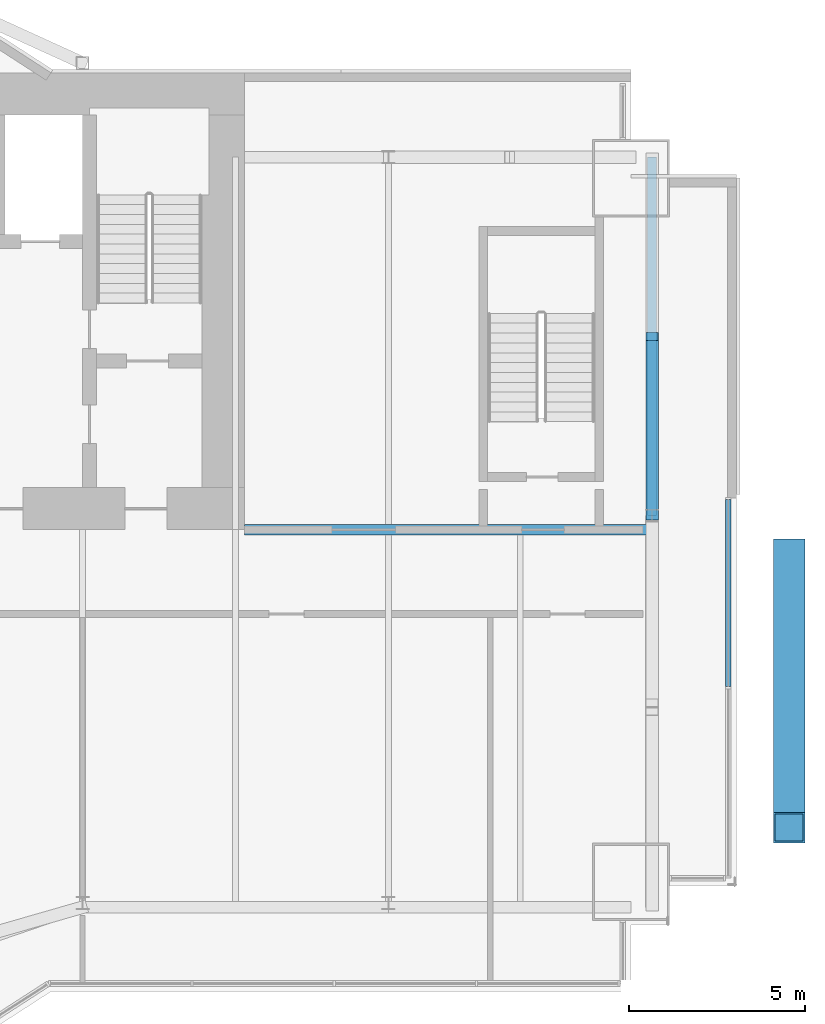
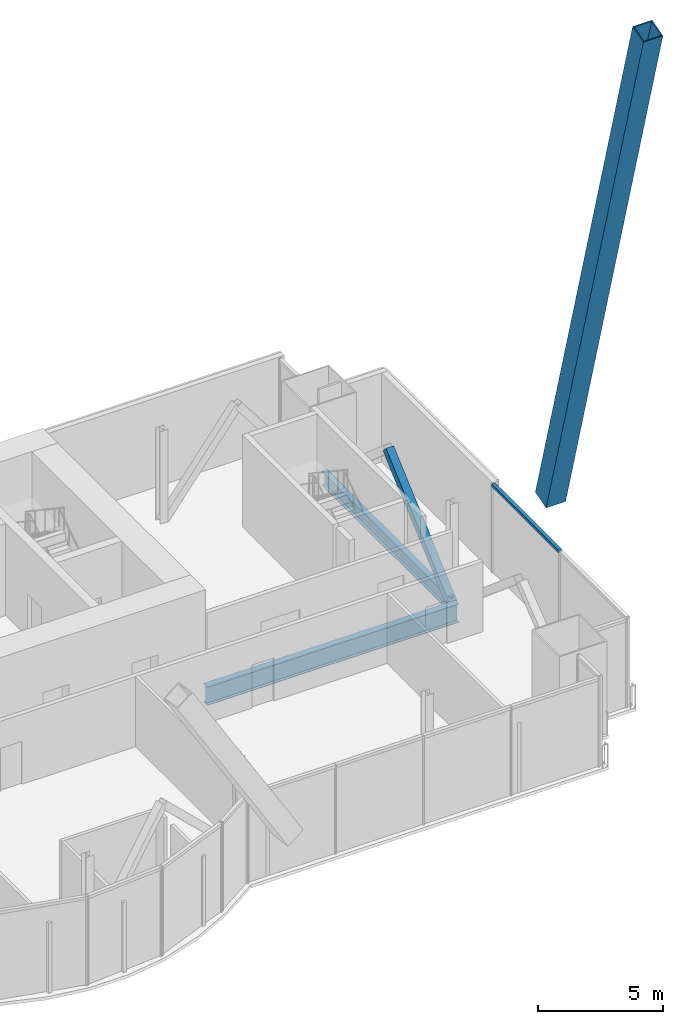
# One storey, part 13 of 22: 3 members, 2 beams, 1 element without a shape of its own.
"""IFC4 building model written with IfcOpenShell, lengths in metres."""

from ifc_helpers import new_model, si_unit, direction, frame, origin, origin_2d, place, context, subcontext, project, spatial, rectangle, hollow_rectangle, i_section, extrude, material, material_profile, profile_set, type_object, element, aggregate, save


model = new_model("IFC4")

# Units and contexts
model_context = context("Model", 3, precision=1e-05, world=origin(), true_north=direction((0.0, 1.0)))
body_context = subcontext(model_context, "Body", "Model", "MODEL_VIEW")
ifc_project = project(units=[si_unit("LENGTHUNIT", "METRE"), si_unit("AREAUNIT", "SQUARE_METRE"), si_unit("VOLUMEUNIT", "CUBIC_METRE"), si_unit("PLANEANGLEUNIT", "RADIAN"), si_unit("MASSUNIT", "GRAM", prefix="KILO")], contexts=[model_context])

# Site, building, storey
site_placement = place(None, origin())
site = spatial("IfcSite", under=ifc_project, at=site_placement, CompositionType="ELEMENT")
building_placement = place(site_placement, origin())
building = spatial("IfcBuilding", under=site, at=building_placement, Name="Bicima Exchange Tower", CompositionType="ELEMENT")
storey_placement = place(building_placement, frame((0.0, 0.0, 315.5)))
storey = spatial("IfcBuildingStorey", under=building, at=storey_placement, Name="L71", CompositionType="ELEMENT", Elevation=315.5)

# Beam
ifc_material_1 = material(Name="Steel ASTM A992 Gr 50", Category="steel")
ifc_material_profile_1 = material_profile(ifc_material_1, i_section(OverallWidth=0.3046875, OverallDepth=0.911865234375, WebThickness=0.015869140625, FlangeThickness=0.02392578125, at=origin_2d()))
ifc_profile_set_1 = profile_set([ifc_material_profile_1], Name="Steel ASTM A992 Gr 50")
beam_type_1 = type_object("IfcBeamType", Name="Core-line girder W36x150", PredefinedType="BEAM", material=ifc_profile_set_1)
beam_1_placement = place(storey_placement, frame((22.0, -13.0, -0.60595703125), z_axis=(1.0, 0.0, 0.0), x_axis=(0.0, 1.0, 0.0)))
element("IfcBeam", 1, at=beam_1_placement, inside=storey, type_object=beam_type_1, Name="Core-line girder", PredefinedType="BEAM", context=body_context, shape_type="SweptSolid", body=[
    extrude(i_section(OverallWidth=0.3046875, OverallDepth=0.911865234375, WebThickness=0.015869140625, FlangeThickness=0.02392578125, at=origin_2d()), origin(), (0.0, 0.0, 1.0), 11.60009765625),
])

# Curtain wall, member
ifc_material_2 = material(Name="Anodised bronze aluminium", Category="aluminium")
curtain_wall_type = type_object("IfcCurtainWallType", Name="End face glass wall", PredefinedType="NOTDEFINED", material=ifc_material_2)
curtain_wall_placement = place(storey_placement, origin())
curtain_wall = element("IfcCurtainWall", 2, at=curtain_wall_placement, inside=storey, type_object=curtain_wall_type, Name="End face glass wall L71 run 19", PredefinedType="NOTDEFINED")
ifc_material_profile_2 = material_profile(ifc_material_2, rectangle(XDim=0.159912109375, YDim=0.139892578125, at=origin_2d()))
ifc_profile_set_2 = profile_set([ifc_material_profile_2], Name="Anodised bronze aluminium")
member_type_1 = type_object("IfcMemberType", Name="End face glass wall transom 140 x 160", PredefinedType="USERDEFINED", material=ifc_profile_set_2)
member_1_placement = place(storey_placement, frame((35.77001953125, -17.465087890625, 4.280029296875), z_axis=(0.0, 1.0, 0.0), x_axis=(-1.0, 0.0, 0.0)))
member_1 = element("IfcMember", 3, at=member_1_placement, type_object=member_type_1, Name="End face glass wall transom 2.1", ObjectType="TRANSOM", PredefinedType="USERDEFINED", context=body_context, shape_type="SweptSolid", body=[
    extrude(rectangle(XDim=0.159912109375, YDim=0.139892578125, at=origin_2d()), origin(), (0.0, 0.0, 1.0), 5.3251953125),
])
aggregate(curtain_wall, [member_1])

# Beam
ifc_material_profile_3 = material_profile(ifc_material_1, i_section(OverallWidth=0.256591796875, OverallDepth=0.693359375, WebThickness=0.014404296875, FlangeThickness=0.023681640625, at=origin_2d()))
ifc_profile_set_3 = profile_set([ifc_material_profile_3], Name="Steel ASTM A992 Gr 50")
beam_type_2 = type_object("IfcBeamType", Name="End girder W27x114", PredefinedType="BEAM", material=ifc_profile_set_3)
beam_2_placement = place(storey_placement, frame((33.60009765625, -2.39990234375, -0.49658203125), z_axis=(0.0, -1.0, 0.0), x_axis=(1.0, 0.0, 0.0)))
element("IfcBeam", 4, at=beam_2_placement, inside=storey, type_object=beam_type_2, Name="End girder", PredefinedType="BEAM", context=body_context, shape_type="SweptSolid", body=[
    extrude(i_section(OverallWidth=0.256591796875, OverallDepth=0.693359375, WebThickness=0.014404296875, FlangeThickness=0.023681640625, at=origin_2d()), origin(), (0.0, 0.0, 1.0), 10.2001953125),
])

# Members
ifc_material_3 = material(Name="Steel ASTM A572 Gr 50", Category="steel")
ifc_material_profile_4 = material_profile(ifc_material_3, hollow_rectangle(XDim=0.89990234375, YDim=0.89990234375, WallThickness=0.050048828125, at=origin_2d()))
ifc_profile_set_4 = profile_set([ifc_material_profile_4], Name="Steel ASTM A572 Gr 50")
member_type_2 = type_object("IfcMemberType", Name="Exo mega brace BOX 900x900x50", PredefinedType="BRACE", material=ifc_profile_set_4)
member_2_placement = place(storey_placement, frame((37.5, -13.7001953125, 4.02490234375), z_axis=(0.0, -0.27273985883, 0.962087817928), x_axis=(1.0, 0.0, 0.0)))
element("IfcMember", 5, at=member_2_placement, inside=storey, type_object=member_type_2, Name="Exo mega brace end", PredefinedType="BRACE", context=body_context, shape_type="SweptSolid", body=[
    extrude(hollow_rectangle(XDim=0.89990234375, YDim=0.89990234375, WallThickness=0.050048828125, at=origin_2d()), origin(), (0.0, 0.0, 1.0), 28.505859375),
])
ifc_material_profile_5 = material_profile(ifc_material_3, hollow_rectangle(XDim=0.355712890625, YDim=0.355712890625, WallThickness=0.01171875, at=origin_2d()))
ifc_profile_set_5 = profile_set([ifc_material_profile_5], Name="Steel ASTM A572 Gr 50")
member_type_3 = type_object("IfcMemberType", Name="Mega brace HSS14x14x1/2", PredefinedType="BRACE", material=ifc_profile_set_5)
member_3_placement = place(storey_placement, frame((33.60009765625, -12.60009765625, -0.49658203125), z_axis=(0.0, 0.749844140428, 0.661614513948), x_axis=(-1.0, 0.0, 0.0)))
element("IfcMember", 6, at=member_3_placement, inside=storey, type_object=member_type_3, Name="Mega brace east end", PredefinedType="BRACE", context=body_context, shape_type="SweptSolid", body=[
    extrude(hollow_rectangle(XDim=0.355712890625, YDim=0.355712890625, WallThickness=0.01171875, at=origin_2d()), origin(), (0.0, 0.0, 1.0), 6.801513671875),
])

save(model, "model.ifc")
